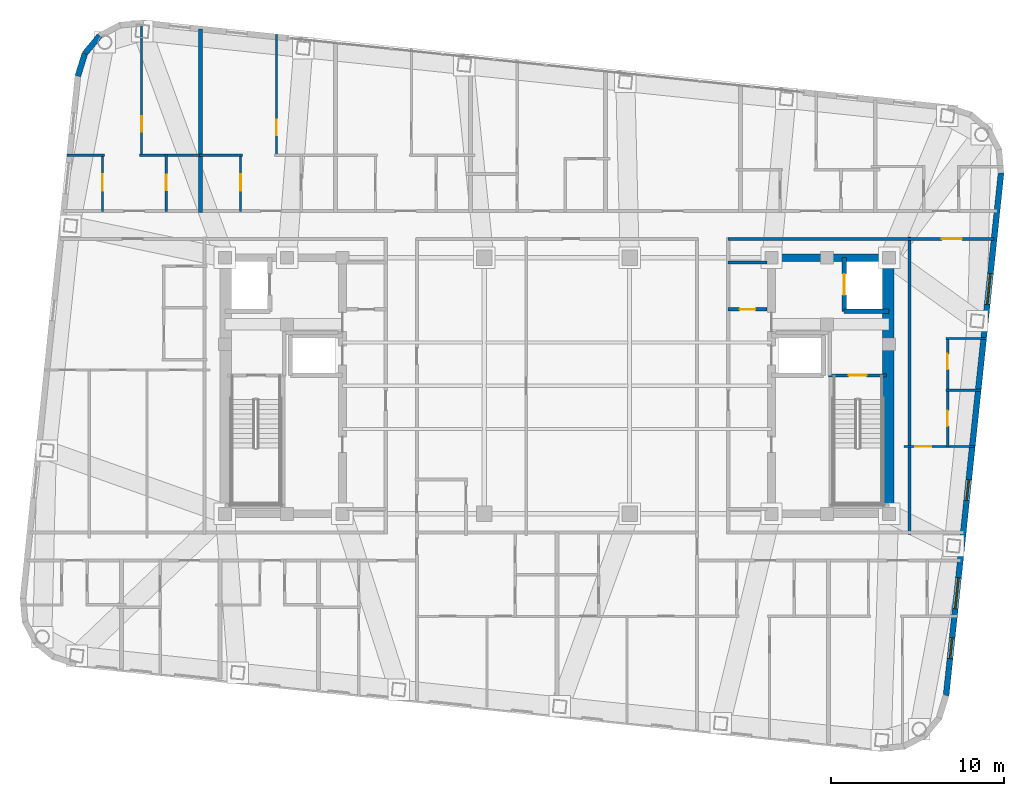
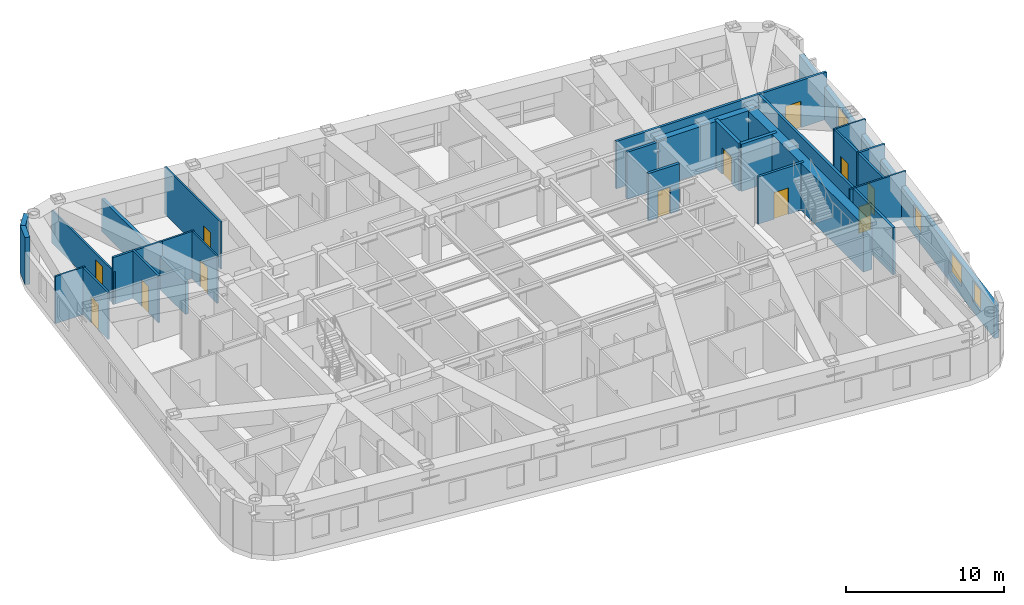
# One storey, part 12 of 16: 26 walls, 12 doors, 4 windows, 16 openings.
"""IFC4 building model written with IfcOpenShell, lengths in metres."""

from ifc_helpers import new_model, si_unit, direction, frame, frame_2d, origin, place, context, subcontext, project, spatial, rectangle, extrude, material, layer, layer_set, type_object, element, fill, save


model = new_model("IFC4")

# Units and contexts
model_context = context("Model", 3, precision=1e-05, world=origin(), true_north=direction((0.0, 1.0)))
body_context = subcontext(model_context, "Body", "Model", "MODEL_VIEW")
ifc_project = project(units=[si_unit("LENGTHUNIT", "METRE"), si_unit("AREAUNIT", "SQUARE_METRE"), si_unit("VOLUMEUNIT", "CUBIC_METRE"), si_unit("PLANEANGLEUNIT", "RADIAN"), si_unit("MASSUNIT", "GRAM", prefix="KILO")], contexts=[model_context])

# Site, building, storey
site_placement = place(None, origin())
site = spatial("IfcSite", under=ifc_project, at=site_placement, CompositionType="ELEMENT")
building_placement = place(site_placement, origin())
building = spatial("IfcBuilding", under=site, at=building_placement, Name="Voryun Gate Residences", CompositionType="ELEMENT")
storey_placement = place(building_placement, frame((0.0, 0.0, 260.0)))
storey = spatial("IfcBuildingStorey", under=building, at=storey_placement, Name="L64", CompositionType="ELEMENT", Elevation=260.0)

# Walls
ifc_material_1 = material(Name="Concrete C50/60", Category="concrete")
ifc_layer_1 = layer(ifc_material_1, 0.449951171875, Name="CW_CORE_450")
ifc_layer_set_1 = layer_set([ifc_layer_1], Name="Concrete C50/60")
wall_type_1 = type_object("IfcWallType", Name="CW_CORE_450", PredefinedType="SHEAR", material=ifc_layer_set_1)
wall_1_placement = place(storey_placement, frame((12.175048828125, 7.39990234375, 0.0), z_axis=(0.0, 0.0, 1.0), x_axis=(1.0, 0.0, 0.0)))
element("IfcWall", 1, at=wall_1_placement, inside=storey, type_object=wall_type_1, Name="L64 Core shear wall CW-L64-EN", PredefinedType="SHEAR", context=body_context, shape_type="SweptSolid", body=[
    extrude(rectangle(XDim=7.25, YDim=0.449951171875, at=frame_2d((3.625, 0.0))), origin(), (0.0, 0.0, 1.0), 3.64990234375),
])
ifc_material_2 = material(Name="Concrete C60/75", Category="concrete")
ifc_layer_2 = layer(ifc_material_2, 0.64990234375, Name="CW_CORE_650")
ifc_layer_set_2 = layer_set([ifc_layer_2], Name="Concrete C60/75")
wall_type_2 = type_object("IfcWallType", Name="CW_CORE_650", PredefinedType="SHEAR", material=ifc_layer_set_2)
wall_2_placement = place(storey_placement, frame((19.14501953125, -7.39990234375, 0.0), z_axis=(0.0, 0.0, 1.0), x_axis=(0.0, 1.0, 0.0)))
element("IfcWall", 2, at=wall_2_placement, inside=storey, type_object=wall_type_2, Name="L64 Core shear wall CW-L64-EE", PredefinedType="SHEAR", context=body_context, shape_type="SweptSolid", body=[
    extrude(rectangle(XDim=14.7998046875, YDim=0.64990234375, at=frame_2d((7.39990234375, 0.0))), origin(), (0.0, 0.0, 1.0), 3.64990234375),
])

# Wall, opening, door
ifc_material_3 = material(Name="Gypsum acoustic fireboard")
ifc_layer_3 = layer(ifc_material_3, 0.179931640625, Name="W_CORR_RATED_180")
ifc_layer_set_3 = layer_set([ifc_layer_3], Name="Gypsum acoustic fireboard")
wall_type_3 = type_object("IfcWallType", Name="W_CORR_RATED_180", PredefinedType="PARTITIONING", material=ifc_layer_set_3)
wall_3_placement = place(storey_placement, frame((15.699951171875, 0.60009765625, 0.0), z_axis=(0.0, 0.0, 1.0), x_axis=(1.0, 0.0, 0.0)))
wall_3 = element("IfcWall", 3, at=wall_3_placement, inside=storey, type_object=wall_type_3, Name="Partition wall WP-L64-STV-E", PredefinedType="PARTITIONING", context=body_context, shape_type="SweptSolid", body=[
    extrude(rectangle(XDim=3.360107421875, YDim=0.179931640625, at=frame_2d((1.68017578125, 0.0))), origin(), (0.0, 0.0, 1.0), 3.64990234375),
])
opening_1_placement = place(wall_3_placement, frame((1.155029296875, 0.0, 0.0)))
opening_1 = element("IfcOpeningElement", 4, at=opening_1_placement, cuts=wall_3, Name="Opening D-FD60-1", PredefinedType="OPENING", context=body_context, shape_type="SweptSolid", body=[
    extrude(rectangle(XDim=1.050048828125, YDim=2.050048828125, at=frame_2d((0.52490234375, 1.02490234375))), frame((0.0, 0.099853515625, 0.0), z_axis=(0.0, -1.0, 0.0), x_axis=(1.0, 0.0, 0.0)), (0.0, 0.0, 1.0), 0.199951171875),
])
ifc_material_4 = material(Name="Painted steel fire door", Category="steel")
door_type_1 = type_object("IfcDoorType", Name="DR_FD60_STAIR_1050", OperationType="NOTDEFINED", PredefinedType="DOOR", material=ifc_material_4)
door_1_placement = place(opening_1_placement, origin())
door_1 = element("IfcDoor", 5, at=door_1_placement, inside=storey, type_object=door_type_1, Name="Door DR-L64-ST-E", OperationType="SINGLE_SWING_RIGHT", OverallHeight=2.050048828125, OverallWidth=1.050048828125, PredefinedType="DOOR", context=body_context, shape_type="SweptSolid", body=[
    extrude(rectangle(XDim=1.050048828125, YDim=2.050048828125, at=frame_2d((0.52490234375, 1.02490234375))), frame((0.0, 0.02490234375, 0.0), z_axis=(0.0, -1.0, 0.0), x_axis=(1.0, 0.0, 0.0)), (0.0, 0.0, 1.0), 0.050048828125),
])
fill(opening_1, door_1)

# Wall
wall_4_placement = place(storey_placement, frame((9.8798828125, 7.1201171875, 0.0), z_axis=(0.0, 0.0, 1.0), x_axis=(1.0, 0.0, 0.0)))
element("IfcWall", 6, at=wall_4_placement, inside=storey, type_object=wall_type_3, Name="Partition wall WP-L64-PLBN-E", PredefinedType="PARTITIONING", context=body_context, shape_type="SweptSolid", body=[
    extrude(rectangle(XDim=2.27001953125, YDim=0.179931640625, at=frame_2d((1.135009765625, 0.0))), origin(), (0.0, 0.0, 1.0), 3.64990234375),
])

# Wall, opening, door
wall_5_placement = place(storey_placement, frame((9.8798828125, 8.489990234375, 0.0), z_axis=(0.0, 0.0, 1.0), x_axis=(1.0, 0.0, 0.0)))
wall_5 = element("IfcWall", 7, at=wall_5_placement, inside=storey, type_object=wall_type_3, Name="Partition wall WP-L64-CWING-EN", PredefinedType="PARTITIONING", context=body_context, shape_type="SweptSolid", body=[
    extrude(rectangle(XDim=15.39013671875, YDim=0.179931640625, at=frame_2d((7.695068359375, 0.0))), origin(), (0.0, 0.0, 1.0), 3.64990234375),
])
opening_2_placement = place(wall_5_placement, frame((12.36962890625, 0.0, 0.0)))
opening_2 = element("IfcOpeningElement", 8, at=opening_2_placement, cuts=wall_5, Name="Opening D-UNIT-1", PredefinedType="OPENING", context=body_context, shape_type="SweptSolid", body=[
    extrude(rectangle(XDim=1.14990234375, YDim=2.050048828125, at=frame_2d((0.574951171875, 1.02490234375))), frame((0.0, 0.099853515625, 0.0), z_axis=(0.0, -1.0, 0.0), x_axis=(1.0, 0.0, 0.0)), (0.0, 0.0, 1.0), 0.199951171875),
])
ifc_material_5 = material(Name="Armoured timber-clad fire door", Category="wood")
door_type_2 = type_object("IfcDoorType", Name="DR_UNIT_ENTRY_1150", OperationType="NOTDEFINED", PredefinedType="DOOR", material=ifc_material_5)
door_2_placement = place(opening_2_placement, origin())
door_2 = element("IfcDoor", 9, at=door_2_placement, inside=storey, type_object=door_type_2, Name="Door DR-L64-EE1N", OperationType="SINGLE_SWING_LEFT", OverallHeight=2.050048828125, OverallWidth=1.14990234375, PredefinedType="DOOR", context=body_context, shape_type="SweptSolid", body=[
    extrude(rectangle(XDim=1.14990234375, YDim=2.050048828125, at=frame_2d((0.574951171875, 1.02490234375))), frame((0.0, 0.02490234375, 0.0), z_axis=(0.0, -1.0, 0.0), x_axis=(1.0, 0.0, 0.0)), (0.0, 0.0, 1.0), 0.050048828125),
])
fill(opening_2, door_2)

# Walls
wall_6_placement = place(storey_placement, frame((20.3701171875, -8.610107421875, 0.0), z_axis=(0.0, 0.0, 1.0), x_axis=(0.0, 1.0, 0.0)))
element("IfcWall", 10, at=wall_6_placement, inside=storey, type_object=wall_type_3, Name="Partition wall WP-L64-ECOR", PredefinedType="PARTITIONING", context=body_context, shape_type="SweptSolid", body=[
    extrude(rectangle(XDim=17.22021484375, YDim=0.179931640625, at=frame_2d((8.610107421875, 0.0))), origin(), (0.0, 0.0, 1.0), 3.64990234375),
])
ifc_material_6 = material(Name="Charcoal terracotta masonry", Category="masonry")
ifc_layer_4 = layer(ifc_material_6, 0.340087890625, Name="W_EXT_TERRACOTTA_340")
ifc_layer_set_4 = layer_set([ifc_layer_4], Name="Charcoal terracotta masonry")
wall_type_4 = type_object("IfcWallType", Name="W_EXT_TERRACOTTA_340", PredefinedType="ELEMENTEDWALL", material=ifc_layer_set_4)
wall_7_placement = place(storey_placement, frame((-27.69580078125, 17.904541015625, 0.0), z_axis=(0.0, 0.0, 1.0), x_axis=(0.296416228123, 0.955058856671, 0.0)))
element("IfcWall", 11, at=wall_7_placement, inside=storey, type_object=wall_type_4, Name="Exterior wall WEXT-L64-07", PredefinedType="ELEMENTEDWALL", context=body_context, shape_type="SweptSolid", body=[
    extrude(rectangle(XDim=1.35400390625, YDim=0.340087890625, at=frame_2d((0.677001953125, 0.0))), origin(), (0.0, 0.0, 1.0), 3.64990234375),
])
wall_8_placement = place(storey_placement, frame((-27.29443359375, 19.19775390625, 0.0), z_axis=(0.0, 0.0, 1.0), x_axis=(0.639501603217, 0.768789762863, 0.0)))
element("IfcWall", 12, at=wall_8_placement, inside=storey, type_object=wall_type_4, Name="Exterior wall WEXT-L64-08", PredefinedType="ELEMENTEDWALL", context=body_context, shape_type="SweptSolid", body=[
    extrude(rectangle(XDim=1.3369140625, YDim=0.340087890625, at=frame_2d((0.66845703125, 0.0))), origin(), (0.0, 0.0, 1.0), 3.64990234375),
])

# Wall, openings, windows
wall_9_placement = place(storey_placement, frame((25.670166015625, 12.295654296875, 0.0), z_axis=(0.0, 0.0, 1.0), x_axis=(-0.104533282919, -0.994521388791, 0.0)))
wall_9 = element("IfcWall", 13, at=wall_9_placement, inside=storey, type_object=wall_type_4, Name="Exterior wall WEXT-L64-16", PredefinedType="ELEMENTEDWALL", context=body_context, shape_type="SweptSolid", body=[
    extrude(rectangle(XDim=30.366455078125, YDim=0.340087890625, at=frame_2d((15.18310546875, 0.0))), origin(), (0.0, 0.0, 1.0), 2.5400390625),
])
opening_3_placement = place(wall_9_placement, frame((5.841552734375, 0.0, 0.75)))
opening_3 = element("IfcOpeningElement", 14, at=opening_3_placement, cuts=wall_9, Name="Opening WN1", PredefinedType="OPENING", context=body_context, shape_type="SweptSolid", body=[
    extrude(rectangle(XDim=1.800048828125, YDim=1.6298828125, at=frame_2d((0.89990234375, 0.81494140625))), frame((0.0, 0.179931640625, 0.0), z_axis=(0.0, -1.0, 0.0), x_axis=(1.0, 0.0, 0.0)), (0.0, 0.0, 1.0), 0.360107421875),
])
opening_4_placement = place(wall_9_placement, frame((23.52490234375, 0.0, 0.75)))
opening_4 = element("IfcOpeningElement", 15, at=opening_4_placement, cuts=wall_9, Name="Opening WN1", PredefinedType="OPENING", context=body_context, shape_type="SweptSolid", body=[
    extrude(rectangle(XDim=1.800048828125, YDim=1.6298828125, at=frame_2d((0.89990234375, 0.81494140625))), frame((0.0, 0.179931640625, 0.0), z_axis=(0.0, -1.0, 0.0), x_axis=(1.0, 0.0, 0.0)), (0.0, 0.0, 1.0), 0.360107421875),
])
opening_5_placement = place(wall_9_placement, frame((27.0166015625, 0.0, 0.75)))
opening_5 = element("IfcOpeningElement", 16, at=opening_5_placement, cuts=wall_9, Name="Opening WN6", PredefinedType="OPENING", context=body_context, shape_type="SweptSolid", body=[
    extrude(rectangle(XDim=1.199951171875, YDim=1.6298828125, at=frame_2d((0.60009765625, 0.81494140625))), frame((0.0, 0.179931640625, 0.0), z_axis=(0.0, -1.0, 0.0), x_axis=(1.0, 0.0, 0.0)), (0.0, 0.0, 1.0), 0.360107421875),
])
opening_6_placement = place(wall_9_placement, frame((17.828857421875, 0.0, 0.75)))
opening_6 = element("IfcOpeningElement", 17, at=opening_6_placement, cuts=wall_9, Name="Opening WN6", PredefinedType="OPENING", context=body_context, shape_type="SweptSolid", body=[
    extrude(rectangle(XDim=1.199951171875, YDim=1.6298828125, at=frame_2d((0.60009765625, 0.81494140625))), frame((0.0, 0.179931640625, 0.0), z_axis=(0.0, -1.0, 0.0), x_axis=(1.0, 0.0, 0.0)), (0.0, 0.0, 1.0), 0.360107421875),
])
ifc_material_7 = material(Name="Laminated low-E glass", Category="glass")
window_type_1 = type_object("IfcWindowType", Name="WN_POD_SLOT_1200", PartitioningType="SINGLE_PANEL", PredefinedType="WINDOW", material=ifc_material_7)
window_1_placement = place(opening_5_placement, origin())
window_1 = element("IfcWindow", 18, at=window_1_placement, inside=storey, type_object=window_type_1, Name="Window WN-L64-DWFIX-14", OverallHeight=1.6298828125, OverallWidth=1.199951171875, PartitioningType="SINGLE_PANEL", PredefinedType="WINDOW", context=body_context, shape_type="SweptSolid", body=[
    extrude(rectangle(XDim=1.199951171875, YDim=1.6298828125, at=frame_2d((0.60009765625, 0.81494140625))), frame((0.0, 0.030029296875, 0.0), z_axis=(0.0, -1.0, 0.0), x_axis=(1.0, 0.0, 0.0)), (0.0, 0.0, 1.0), 0.06005859375),
])
fill(opening_5, window_1)
window_2_placement = place(opening_6_placement, origin())
window_2 = element("IfcWindow", 19, at=window_2_placement, inside=storey, type_object=window_type_1, Name="Window WN-L64-DWFIX-19", OverallHeight=1.6298828125, OverallWidth=1.199951171875, PartitioningType="SINGLE_PANEL", PredefinedType="WINDOW", context=body_context, shape_type="SweptSolid", body=[
    extrude(rectangle(XDim=1.199951171875, YDim=1.6298828125, at=frame_2d((0.60009765625, 0.81494140625))), frame((0.0, 0.030029296875, 0.0), z_axis=(0.0, -1.0, 0.0), x_axis=(1.0, 0.0, 0.0)), (0.0, 0.0, 1.0), 0.06005859375),
])
fill(opening_6, window_2)
ifc_material_8 = material(Name="Laminated low-E glass", Category="glass")
window_type_2 = type_object("IfcWindowType", Name="WN_RES_PUNCH_1800", PartitioningType="SINGLE_PANEL", PredefinedType="WINDOW", material=ifc_material_8)
window_3_placement = place(opening_3_placement, origin())
window_3 = element("IfcWindow", 20, at=window_3_placement, inside=storey, type_object=window_type_2, Name="Window WN-WEXT-L64-16-01", OverallHeight=1.6298828125, OverallWidth=1.800048828125, PartitioningType="SINGLE_PANEL", PredefinedType="WINDOW", context=body_context, shape_type="SweptSolid", body=[
    extrude(rectangle(XDim=1.800048828125, YDim=1.6298828125, at=frame_2d((0.89990234375, 0.81494140625))), frame((0.0, 0.030029296875, 0.0), z_axis=(0.0, -1.0, 0.0), x_axis=(1.0, 0.0, 0.0)), (0.0, 0.0, 1.0), 0.06005859375),
])
fill(opening_3, window_3)
window_4_placement = place(opening_4_placement, origin())
window_4 = element("IfcWindow", 21, at=window_4_placement, inside=storey, type_object=window_type_2, Name="Window WN-WEXT-L64-16-02", OverallHeight=1.6298828125, OverallWidth=1.800048828125, PartitioningType="SINGLE_PANEL", PredefinedType="WINDOW", context=body_context, shape_type="SweptSolid", body=[
    extrude(rectangle(XDim=1.800048828125, YDim=1.6298828125, at=frame_2d((0.89990234375, 0.81494140625))), frame((0.0, 0.030029296875, 0.0), z_axis=(0.0, -1.0, 0.0), x_axis=(1.0, 0.0, 0.0)), (0.0, 0.0, 1.0), 0.06005859375),
])
fill(opening_4, window_4)

# Wall, opening, door
ifc_material_9 = material(Name="Concrete C40/50", Category="concrete")
ifc_layer_5 = layer(ifc_material_9, 0.199951171875, Name="W_FF_LOBBY_200")
ifc_layer_set_5 = layer_set([ifc_layer_5], Name="Concrete C40/50")
wall_type_5 = type_object("IfcWallType", Name="W_FF_LOBBY_200", PredefinedType="PARTITIONING", material=ifc_layer_set_5)
wall_10_placement = place(storey_placement, frame((9.8798828125, 4.409912109375, 0.0), z_axis=(0.0, 0.0, 1.0), x_axis=(1.0, 0.0, 0.0)))
wall_10 = element("IfcWall", 22, at=wall_10_placement, inside=storey, type_object=wall_type_5, Name="Partition wall WP-L64-CSFLKS-E", PredefinedType="PARTITIONING", context=body_context, shape_type="SweptSolid", body=[
    extrude(rectangle(XDim=2.27001953125, YDim=0.199951171875, at=frame_2d((1.135009765625, 0.0))), origin(), (0.0, 0.0, 1.0), 3.64990234375),
])
opening_7_placement = place(wall_10_placement, frame((0.68505859375, 0.0, 0.0)))
opening_7 = element("IfcOpeningElement", 23, at=opening_7_placement, cuts=wall_10, Name="Opening D-FD60-4", PredefinedType="OPENING", context=body_context, shape_type="SweptSolid", body=[
    extrude(rectangle(XDim=0.89990234375, YDim=2.050048828125, at=frame_2d((0.449951171875, 1.02490234375))), frame((0.0, 0.110107421875, 0.0), z_axis=(0.0, -1.0, 0.0), x_axis=(1.0, 0.0, 0.0)), (0.0, 0.0, 1.0), 0.219970703125),
])
ifc_material_10 = material(Name="Painted steel fire door", Category="steel")
door_type_3 = type_object("IfcDoorType", Name="DR_FD60_RISER_900", OperationType="NOTDEFINED", PredefinedType="DOOR", material=ifc_material_10)
door_3_placement = place(opening_7_placement, origin())
door_3 = element("IfcDoor", 24, at=door_3_placement, inside=storey, type_object=door_type_3, Name="Door DR-L64-CSFLK-E", OperationType="SINGLE_SWING_RIGHT", OverallHeight=2.050048828125, OverallWidth=0.89990234375, PredefinedType="DOOR", context=body_context, shape_type="SweptSolid", body=[
    extrude(rectangle(XDim=0.89990234375, YDim=2.050048828125, at=frame_2d((0.449951171875, 1.02490234375))), frame((0.0, 0.02490234375, 0.0), z_axis=(0.0, -1.0, 0.0), x_axis=(1.0, 0.0, 0.0)), (0.0, 0.0, 1.0), 0.050048828125),
])
fill(opening_7, door_3)

# Walls
ifc_material_11 = material(Name="Concrete C40/50", Category="concrete")
ifc_layer_6 = layer(ifc_material_11, 0.219970703125, Name="W_PARTY_ACOUSTIC_220")
ifc_layer_set_6 = layer_set([ifc_layer_6], Name="Concrete C40/50")
wall_type_6 = type_object("IfcWallType", Name="W_PARTY_ACOUSTIC_220", PredefinedType="PARTITIONING", material=ifc_layer_set_6)
wall_11_placement = place(storey_placement, frame((-20.60009765625, 10.02001953125, 0.0), z_axis=(0.0, 0.0, 1.0), x_axis=(0.0, 1.0, 0.0)))
element("IfcWall", 25, at=wall_11_placement, inside=storey, type_object=wall_type_6, Name="Partition wall WP-L64-NPTY-1", PredefinedType="PARTITIONING", context=body_context, shape_type="SweptSolid", body=[
    extrude(rectangle(XDim=10.6044921875, YDim=0.219970703125, at=frame_2d((5.30224609375, 0.0))), origin(), (0.0, 0.0, 1.0), 2.5400390625),
])
ifc_material_12 = material(Name="Concrete C50/60", Category="concrete")
ifc_layer_7 = layer(ifc_material_12, 0.25, Name="W_SHAFT_RC250")
ifc_layer_set_7 = layer_set([ifc_layer_7], Name="Concrete C50/60")
wall_type_7 = type_object("IfcWallType", Name="W_SHAFT_RC250", PredefinedType="SOLIDWALL", material=ifc_layer_set_7)
wall_12_placement = place(storey_placement, frame((16.60009765625, 4.300048828125, 0.0), z_axis=(0.0, 0.0, 1.0), x_axis=(1.0, 0.0, 0.0)))
element("IfcWall", 26, at=wall_12_placement, inside=storey, type_object=wall_type_7, Name="Lift shaft wall WSH-L64-EL-FF-E1-S", PredefinedType="SOLIDWALL", context=body_context, shape_type="SweptSolid", body=[
    extrude(rectangle(XDim=2.599853515625, YDim=0.25, at=frame_2d((1.2998046875, 0.0))), origin(), (0.0, 0.0, 1.0), 3.64990234375),
])

# Wall, opening, door
wall_13_placement = place(storey_placement, frame((16.60009765625, 7.39990234375, 0.0), z_axis=(0.0, 0.0, 1.0), x_axis=(0.0, -1.0, 0.0)))
wall_13 = element("IfcWall", 27, at=wall_13_placement, inside=storey, type_object=wall_type_7, Name="Lift shaft wall WSH-L64-EL-FF-E1-W", PredefinedType="SOLIDWALL", context=body_context, shape_type="SweptSolid", body=[
    extrude(rectangle(XDim=3.099853515625, YDim=0.25, at=frame_2d((1.5498046875, 0.0))), origin(), (0.0, 0.0, 1.0), 3.64990234375),
])
opening_8_placement = place(wall_13_placement, frame((0.949951171875, 0.0, 0.0)))
opening_8 = element("IfcOpeningElement", 28, at=opening_8_placement, cuts=wall_13, Name="Opening LD1", PredefinedType="OPENING", context=body_context, shape_type="SweptSolid", body=[
    extrude(rectangle(XDim=1.199951171875, YDim=2.050048828125, at=frame_2d((0.60009765625, 1.02490234375))), frame((0.0, 0.135009765625, 0.0), z_axis=(0.0, -1.0, 0.0), x_axis=(1.0, 0.0, 0.0)), (0.0, 0.0, 1.0), 0.27001953125),
])
ifc_material_13 = material(Name="Anodised aluminium", Category="aluminium")
door_type_4 = type_object("IfcDoorType", Name="DR_LD_FF_1200", OperationType="NOTDEFINED", PredefinedType="DOOR", material=ifc_material_13)
door_4_placement = place(opening_8_placement, origin())
door_4 = element("IfcDoor", 29, at=door_4_placement, inside=storey, type_object=door_type_4, Name="Lift EL-FF-E1 sliding landing door L64", OperationType="SLIDING_TO_LEFT", OverallHeight=2.050048828125, OverallWidth=1.199951171875, PredefinedType="DOOR", context=body_context, shape_type="SweptSolid", body=[
    extrude(rectangle(XDim=1.199951171875, YDim=2.050048828125, at=frame_2d((0.60009765625, 1.02490234375))), frame((0.0, 0.02490234375, 0.0), z_axis=(0.0, -1.0, 0.0), x_axis=(1.0, 0.0, 0.0)), (0.0, 0.0, 1.0), 0.050048828125),
])
fill(opening_8, door_4)

ifc_material_14 = material(Name="Gypsum acoustic partition")
ifc_layer_8 = layer(ifc_material_14, 0.125, Name="W_UNIT_PART_125")
ifc_layer_set_8 = layer_set([ifc_layer_8], Name="Gypsum acoustic partition")
wall_type_8 = type_object("IfcWallType", Name="W_UNIT_PART_125", PredefinedType="PARTITIONING", material=ifc_layer_set_8)
wall_14_placement = place(storey_placement, frame((-24.010009765625, 13.239990234375, 0.0), z_axis=(0.0, 0.0, 1.0), x_axis=(0.0, 1.0, 0.0)))
wall_14 = element("IfcWall", 30, at=wall_14_placement, inside=storey, type_object=wall_type_8, Name="Partition wall WP-L64-N1-OVR", PredefinedType="PARTITIONING", context=body_context, shape_type="SweptSolid", body=[
    extrude(rectangle(XDim=7.873291015625, YDim=0.125, at=frame_2d((3.9365234375, 0.0))), origin(), (0.0, 0.0, 1.0), 2.5400390625),
])
opening_9_placement = place(wall_14_placement, frame((1.439697265625, 0.0, 0.0)))
opening_9 = element("IfcOpeningElement", 31, at=opening_9_placement, cuts=wall_14, Name="Opening D-INT-2", PredefinedType="OPENING", context=body_context, shape_type="SweptSolid", body=[
    extrude(rectangle(XDim=0.89990234375, YDim=2.050048828125, at=frame_2d((0.449951171875, 1.02490234375))), frame((0.0, 0.072509765625, 0.0), z_axis=(0.0, -1.0, 0.0), x_axis=(1.0, 0.0, 0.0)), (0.0, 0.0, 1.0), 0.14501953125),
])
ifc_material_15 = material(Name="Architectural oak veneer")
door_type_5 = type_object("IfcDoorType", Name="DR_INT_BATH_900", OperationType="NOTDEFINED", PredefinedType="DOOR", material=ifc_material_15)
door_5_placement = place(opening_9_placement, origin())
door_5 = element("IfcDoor", 32, at=door_5_placement, inside=storey, type_object=door_type_5, Name="Door DR-L64-N1-DMB", OperationType="SINGLE_SWING_RIGHT", OverallHeight=2.050048828125, OverallWidth=0.89990234375, PredefinedType="DOOR", context=body_context, shape_type="SweptSolid", body=[
    extrude(rectangle(XDim=0.89990234375, YDim=2.050048828125, at=frame_2d((0.449951171875, 1.02490234375))), frame((0.0, 0.02490234375, 0.0), z_axis=(0.0, -1.0, 0.0), x_axis=(1.0, 0.0, 0.0)), (0.0, 0.0, 1.0), 0.050048828125),
])
fill(opening_9, door_5)

wall_15_placement = place(storey_placement, frame((-26.27099609375, 10.080078125, 0.0), z_axis=(0.0, 0.0, 1.0), x_axis=(0.0, 1.0, 0.0)))
wall_15 = element("IfcWall", 33, at=wall_15_placement, inside=storey, type_object=wall_type_8, Name="Partition wall WP-L64-N1-IVK", PredefinedType="PARTITIONING", context=body_context, shape_type="SweptSolid", body=[
    extrude(rectangle(XDim=3.31982421875, YDim=0.125, at=frame_2d((1.659912109375, 0.0))), origin(), (0.0, 0.0, 1.0), 3.64990234375),
])
opening_10_placement = place(wall_15_placement, frame((1.18505859375, 0.0, 0.0)))
opening_10 = element("IfcOpeningElement", 34, at=opening_10_placement, cuts=wall_15, Name="Opening D-INT-1", PredefinedType="OPENING", context=body_context, shape_type="SweptSolid", body=[
    extrude(rectangle(XDim=0.949951171875, YDim=2.050048828125, at=frame_2d((0.47509765625, 1.02490234375))), frame((0.0, 0.072509765625, 0.0), z_axis=(0.0, -1.0, 0.0), x_axis=(1.0, 0.0, 0.0)), (0.0, 0.0, 1.0), 0.14501953125),
])
ifc_material_16 = material(Name="Architectural oak veneer")
door_type_6 = type_object("IfcDoorType", Name="DR_INT_ROOM_950", OperationType="NOTDEFINED", PredefinedType="DOOR", material=ifc_material_16)
door_6_placement = place(opening_10_placement, origin())
door_6 = element("IfcDoor", 35, at=door_6_placement, inside=storey, type_object=door_type_6, Name="Door DR-L64-N1-DK", OperationType="SINGLE_SWING_LEFT", OverallHeight=2.050048828125, OverallWidth=0.949951171875, PredefinedType="DOOR", context=body_context, shape_type="SweptSolid", body=[
    extrude(rectangle(XDim=0.949951171875, YDim=2.050048828125, at=frame_2d((0.47509765625, 1.02490234375))), frame((0.0, 0.02490234375, 0.0), z_axis=(0.0, -1.0, 0.0), x_axis=(1.0, 0.0, 0.0)), (0.0, 0.0, 1.0), 0.050048828125),
])
fill(opening_10, door_6)

# Wall
wall_16_placement = place(storey_placement, frame((-28.32861328125, 13.320068359375, 0.0), z_axis=(0.0, 0.0, 1.0), x_axis=(1.0, 0.0, 0.0)))
element("IfcWall", 36, at=wall_16_placement, inside=storey, type_object=wall_type_8, Name="Partition wall WP-L64-N1-HZK", PredefinedType="PARTITIONING", context=body_context, shape_type="SweptSolid", body=[
    extrude(rectangle(XDim=2.177734375, YDim=0.125, at=frame_2d((1.0888671875, 0.0))), origin(), (0.0, 0.0, 1.0), 3.64990234375),
])

# Wall, opening, door
wall_17_placement = place(storey_placement, frame((-16.2099609375, 13.239990234375, 0.0), z_axis=(0.0, 0.0, 1.0), x_axis=(0.0, 1.0, 0.0)))
wall_17 = element("IfcWall", 37, at=wall_17_placement, inside=storey, type_object=wall_type_8, Name="Partition wall WP-L64-N2-OVR", PredefinedType="PARTITIONING", context=body_context, shape_type="SweptSolid", body=[
    extrude(rectangle(XDim=7.073974609375, YDim=0.125, at=frame_2d((3.537109375, 0.0))), origin(), (0.0, 0.0, 1.0), 3.64990234375),
])
opening_11_placement = place(wall_17_placement, frame((1.247802734375, 0.0, 0.0)))
opening_11 = element("IfcOpeningElement", 38, at=opening_11_placement, cuts=wall_17, Name="Opening D-INT-2", PredefinedType="OPENING", context=body_context, shape_type="SweptSolid", body=[
    extrude(rectangle(XDim=0.89990234375, YDim=2.050048828125, at=frame_2d((0.449951171875, 1.02490234375))), frame((0.0, 0.072509765625, 0.0), z_axis=(0.0, -1.0, 0.0), x_axis=(1.0, 0.0, 0.0)), (0.0, 0.0, 1.0), 0.14501953125),
])
door_7_placement = place(opening_11_placement, origin())
door_7 = element("IfcDoor", 39, at=door_7_placement, inside=storey, type_object=door_type_5, Name="Door DR-L64-N2-DMB", OperationType="SINGLE_SWING_RIGHT", OverallHeight=2.050048828125, OverallWidth=0.89990234375, PredefinedType="DOOR", context=body_context, shape_type="SweptSolid", body=[
    extrude(rectangle(XDim=0.89990234375, YDim=2.050048828125, at=frame_2d((0.449951171875, 1.02490234375))), frame((0.0, 0.02490234375, 0.0), z_axis=(0.0, -1.0, 0.0), x_axis=(1.0, 0.0, 0.0)), (0.0, 0.0, 1.0), 0.050048828125),
])
fill(opening_11, door_7)

wall_18_placement = place(storey_placement, frame((-18.2900390625, 10.080078125, 0.0), z_axis=(0.0, 0.0, 1.0), x_axis=(0.0, 1.0, 0.0)))
wall_18 = element("IfcWall", 40, at=wall_18_placement, inside=storey, type_object=wall_type_8, Name="Partition wall WP-L64-N2-IVK", PredefinedType="PARTITIONING", context=body_context, shape_type="SweptSolid", body=[
    extrude(rectangle(XDim=3.31982421875, YDim=0.125, at=frame_2d((1.659912109375, 0.0))), origin(), (0.0, 0.0, 1.0), 3.64990234375),
])
opening_12_placement = place(wall_18_placement, frame((1.18505859375, 0.0, 0.0)))
opening_12 = element("IfcOpeningElement", 41, at=opening_12_placement, cuts=wall_18, Name="Opening D-INT-1", PredefinedType="OPENING", context=body_context, shape_type="SweptSolid", body=[
    extrude(rectangle(XDim=0.949951171875, YDim=2.050048828125, at=frame_2d((0.47509765625, 1.02490234375))), frame((0.0, 0.072509765625, 0.0), z_axis=(0.0, -1.0, 0.0), x_axis=(1.0, 0.0, 0.0)), (0.0, 0.0, 1.0), 0.14501953125),
])
door_8_placement = place(opening_12_placement, origin())
door_8 = element("IfcDoor", 42, at=door_8_placement, inside=storey, type_object=door_type_6, Name="Door DR-L64-N2-DK", OperationType="SINGLE_SWING_LEFT", OverallHeight=2.050048828125, OverallWidth=0.949951171875, PredefinedType="DOOR", context=body_context, shape_type="SweptSolid", body=[
    extrude(rectangle(XDim=0.949951171875, YDim=2.050048828125, at=frame_2d((0.47509765625, 1.02490234375))), frame((0.0, 0.02490234375, 0.0), z_axis=(0.0, -1.0, 0.0), x_axis=(1.0, 0.0, 0.0)), (0.0, 0.0, 1.0), 0.050048828125),
])
fill(opening_12, door_8)

# Walls
wall_19_placement = place(storey_placement, frame((-20.675048828125, 13.320068359375, 0.0), z_axis=(0.0, 0.0, 1.0), x_axis=(1.0, 0.0, 0.0)))
element("IfcWall", 43, at=wall_19_placement, inside=storey, type_object=wall_type_8, Name="Partition wall WP-L64-N2-HZK", PredefinedType="PARTITIONING", context=body_context, shape_type="SweptSolid", body=[
    extrude(rectangle(XDim=2.505126953125, YDim=0.125, at=frame_2d((1.25244140625, 0.0))), origin(), (0.0, 0.0, 1.0), 3.64990234375),
])
wall_20_placement = place(storey_placement, frame((22.498046875, 2.739990234375, 0.0), z_axis=(0.0, 0.0, 1.0), x_axis=(1.0, 0.0, 0.0)))
element("IfcWall", 44, at=wall_20_placement, inside=storey, type_object=wall_type_8, Name="Partition wall WP-L64-E1-HZ1", PredefinedType="PARTITIONING", context=body_context, shape_type="SweptSolid", body=[
    extrude(rectangle(XDim=2.318603515625, YDim=0.125, at=frame_2d((1.1591796875, 0.0))), origin(), (0.0, 0.0, 1.0), 3.64990234375),
])

# Wall, opening, door
wall_21_placement = place(storey_placement, frame((20.050048828125, -3.510009765625, 0.0), z_axis=(0.0, 0.0, 1.0), x_axis=(1.0, 0.0, 0.0)))
wall_21 = element("IfcWall", 45, at=wall_21_placement, inside=storey, type_object=wall_type_8, Name="Partition wall WP-L64-E1-HZ3", PredefinedType="PARTITIONING", context=body_context, shape_type="SweptSolid", body=[
    extrude(rectangle(XDim=4.109619140625, YDim=0.125, at=frame_2d((2.0546875, 0.0))), origin(), (0.0, 0.0, 1.0), 3.64990234375),
])
opening_13_placement = place(wall_21_placement, frame((0.674072265625, 0.0, 0.0)))
opening_13 = element("IfcOpeningElement", 46, at=opening_13_placement, cuts=wall_21, Name="Opening D-INT-2", PredefinedType="OPENING", context=body_context, shape_type="SweptSolid", body=[
    extrude(rectangle(XDim=0.89990234375, YDim=2.050048828125, at=frame_2d((0.449951171875, 1.02490234375))), frame((0.0, 0.072509765625, 0.0), z_axis=(0.0, -1.0, 0.0), x_axis=(1.0, 0.0, 0.0)), (0.0, 0.0, 1.0), 0.14501953125),
])
door_9_placement = place(opening_13_placement, origin())
door_9 = element("IfcDoor", 47, at=door_9_placement, inside=storey, type_object=door_type_5, Name="Door DR-L64-E1-DMB", OperationType="SINGLE_SWING_LEFT", OverallHeight=2.050048828125, OverallWidth=0.89990234375, PredefinedType="DOOR", context=body_context, shape_type="SweptSolid", body=[
    extrude(rectangle(XDim=0.89990234375, YDim=2.050048828125, at=frame_2d((0.449951171875, 1.02490234375))), frame((0.0, 0.02490234375, 0.0), z_axis=(0.0, -1.0, 0.0), x_axis=(1.0, 0.0, 0.0)), (0.0, 0.0, 1.0), 0.050048828125),
])
fill(opening_13, door_9)

# Wall
ifc_material_17 = material(Name="Gypsum moisture-resistant partition")
ifc_layer_9 = layer(ifc_material_17, 0.14990234375, Name="W_WET_PLUMB_150")
ifc_layer_set_9 = layer_set([ifc_layer_9], Name="Gypsum moisture-resistant partition")
wall_type_9 = type_object("IfcWallType", Name="W_WET_PLUMB_150", PredefinedType="PLUMBINGWALL", material=ifc_layer_set_9)
wall_22_placement = place(storey_placement, frame((-24.1298828125, 13.320068359375, 0.0), z_axis=(0.0, 0.0, 1.0), x_axis=(1.0, 0.0, 0.0)))
element("IfcWall", 48, at=wall_22_placement, inside=storey, type_object=wall_type_9, Name="Partition wall WP-L64-N1-HZB", PredefinedType="PLUMBINGWALL", context=body_context, shape_type="SweptSolid", body=[
    extrude(rectangle(XDim=3.60498046875, YDim=0.14990234375, at=frame_2d((1.802490234375, 0.0))), origin(), (0.0, 0.0, 1.0), 3.64990234375),
])

# Wall, opening, door
wall_23_placement = place(storey_placement, frame((-22.580078125, 10.080078125, 0.0), z_axis=(0.0, 0.0, 1.0), x_axis=(0.0, 1.0, 0.0)))
wall_23 = element("IfcWall", 49, at=wall_23_placement, inside=storey, type_object=wall_type_9, Name="Partition wall WP-L64-N1-IVB", PredefinedType="PLUMBINGWALL", context=body_context, shape_type="SweptSolid", body=[
    extrude(rectangle(XDim=3.31982421875, YDim=0.14990234375, at=frame_2d((1.659912109375, 0.0))), origin(), (0.0, 0.0, 1.0), 3.64990234375),
])
opening_14_placement = place(wall_23_placement, frame((1.2099609375, 0.0, 0.0)))
opening_14 = element("IfcOpeningElement", 50, at=opening_14_placement, cuts=wall_23, Name="Opening D-INT-2", PredefinedType="OPENING", context=body_context, shape_type="SweptSolid", body=[
    extrude(rectangle(XDim=0.89990234375, YDim=2.050048828125, at=frame_2d((0.449951171875, 1.02490234375))), frame((0.0, 0.0849609375, 0.0), z_axis=(0.0, -1.0, 0.0), x_axis=(1.0, 0.0, 0.0)), (0.0, 0.0, 1.0), 0.169921875),
])
door_10_placement = place(opening_14_placement, origin())
door_10 = element("IfcDoor", 51, at=door_10_placement, inside=storey, type_object=door_type_5, Name="Door DR-L64-N1-DB", OperationType="SINGLE_SWING_RIGHT", OverallHeight=2.050048828125, OverallWidth=0.89990234375, PredefinedType="DOOR", context=body_context, shape_type="SweptSolid", body=[
    extrude(rectangle(XDim=0.89990234375, YDim=2.050048828125, at=frame_2d((0.449951171875, 1.02490234375))), frame((0.0, 0.02490234375, 0.0), z_axis=(0.0, -1.0, 0.0), x_axis=(1.0, 0.0, 0.0)), (0.0, 0.0, 1.0), 0.050048828125),
])
fill(opening_14, door_10)

# Wall
wall_24_placement = place(storey_placement, frame((22.498046875, -0.260009765625, 0.0), z_axis=(0.0, 0.0, 1.0), x_axis=(1.0, 0.0, 0.0)))
element("IfcWall", 52, at=wall_24_placement, inside=storey, type_object=wall_type_9, Name="Partition wall WP-L64-E1-HZ2", PredefinedType="PLUMBINGWALL", context=body_context, shape_type="SweptSolid", body=[
    extrude(rectangle(XDim=2.003173828125, YDim=0.14990234375, at=frame_2d((1.00146484375, 0.0))), origin(), (0.0, 0.0, 1.0), 3.64990234375),
])

# Wall, opening, door
wall_25_placement = place(storey_placement, frame((22.577880859375, -3.550048828125, 0.0), z_axis=(0.0, 0.0, 1.0), x_axis=(0.0, 1.0, 0.0)))
wall_25 = element("IfcWall", 53, at=wall_25_placement, inside=storey, type_object=wall_type_9, Name="Partition wall WP-L64-E1-VKB1", PredefinedType="PLUMBINGWALL", context=body_context, shape_type="SweptSolid", body=[
    extrude(rectangle(XDim=3.330078125, YDim=0.14990234375, at=frame_2d((1.6650390625, 0.0))), origin(), (0.0, 0.0, 1.0), 3.64990234375),
])
opening_15_placement = place(wall_25_placement, frame((1.215087890625, 0.0, 0.0)))
opening_15 = element("IfcOpeningElement", 54, at=opening_15_placement, cuts=wall_25, Name="Opening D-INT-2", PredefinedType="OPENING", context=body_context, shape_type="SweptSolid", body=[
    extrude(rectangle(XDim=0.89990234375, YDim=2.050048828125, at=frame_2d((0.449951171875, 1.02490234375))), frame((0.0, 0.0849609375, 0.0), z_axis=(0.0, -1.0, 0.0), x_axis=(1.0, 0.0, 0.0)), (0.0, 0.0, 1.0), 0.169921875),
])
door_11_placement = place(opening_15_placement, origin())
door_11 = element("IfcDoor", 55, at=door_11_placement, inside=storey, type_object=door_type_5, Name="Door DR-L64-E1-DB", OperationType="SINGLE_SWING_LEFT", OverallHeight=2.050048828125, OverallWidth=0.89990234375, PredefinedType="DOOR", context=body_context, shape_type="SweptSolid", body=[
    extrude(rectangle(XDim=0.89990234375, YDim=2.050048828125, at=frame_2d((0.449951171875, 1.02490234375))), frame((0.0, 0.02490234375, 0.0), z_axis=(0.0, -1.0, 0.0), x_axis=(1.0, 0.0, 0.0)), (0.0, 0.0, 1.0), 0.050048828125),
])
fill(opening_15, door_11)

wall_26_placement = place(storey_placement, frame((22.577880859375, -0.300048828125, 0.0), z_axis=(0.0, 0.0, 1.0), x_axis=(0.0, 1.0, 0.0)))
wall_26 = element("IfcWall", 56, at=wall_26_placement, inside=storey, type_object=wall_type_9, Name="Partition wall WP-L64-E1-VKB2", PredefinedType="PLUMBINGWALL", context=body_context, shape_type="SweptSolid", body=[
    extrude(rectangle(XDim=3.080078125, YDim=0.14990234375, at=frame_2d((1.5400390625, 0.0))), origin(), (0.0, 0.0, 1.0), 3.64990234375),
])
opening_16_placement = place(wall_26_placement, frame((1.243896484375, 0.0, 0.0)))
opening_16 = element("IfcOpeningElement", 57, at=opening_16_placement, cuts=wall_26, Name="Opening D-INT-2", PredefinedType="OPENING", context=body_context, shape_type="SweptSolid", body=[
    extrude(rectangle(XDim=0.89990234375, YDim=2.050048828125, at=frame_2d((0.449951171875, 1.02490234375))), frame((0.0, 0.0849609375, 0.0), z_axis=(0.0, -1.0, 0.0), x_axis=(1.0, 0.0, 0.0)), (0.0, 0.0, 1.0), 0.169921875),
])
door_12_placement = place(opening_16_placement, origin())
door_12 = element("IfcDoor", 58, at=door_12_placement, inside=storey, type_object=door_type_5, Name="Door DR-L64-E1-DK", OperationType="SINGLE_SWING_RIGHT", OverallHeight=2.050048828125, OverallWidth=0.89990234375, PredefinedType="DOOR", context=body_context, shape_type="SweptSolid", body=[
    extrude(rectangle(XDim=0.89990234375, YDim=2.050048828125, at=frame_2d((0.449951171875, 1.02490234375))), frame((0.0, 0.02490234375, 0.0), z_axis=(0.0, -1.0, 0.0), x_axis=(1.0, 0.0, 0.0)), (0.0, 0.0, 1.0), 0.050048828125),
])
fill(opening_16, door_12)

save(model, "model.ifc")
